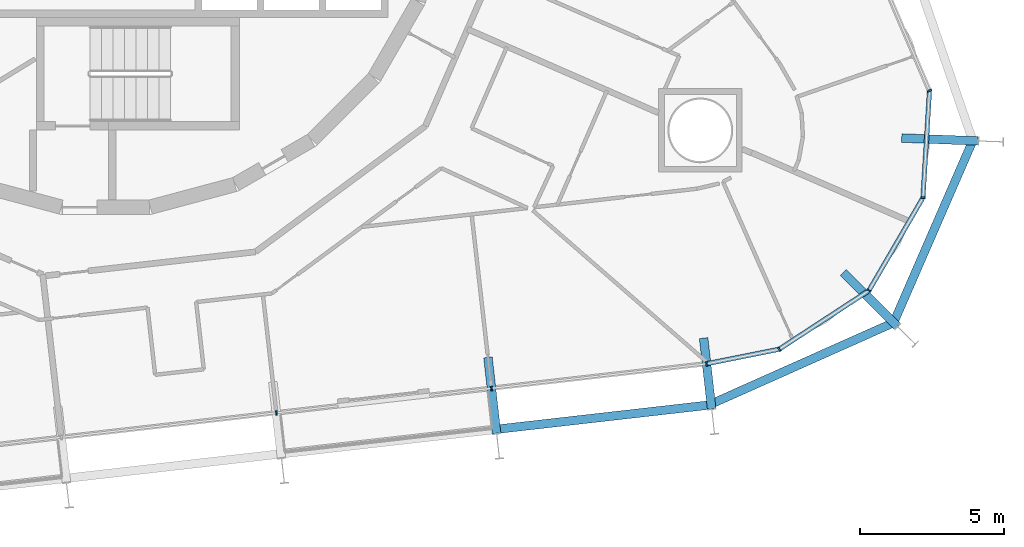
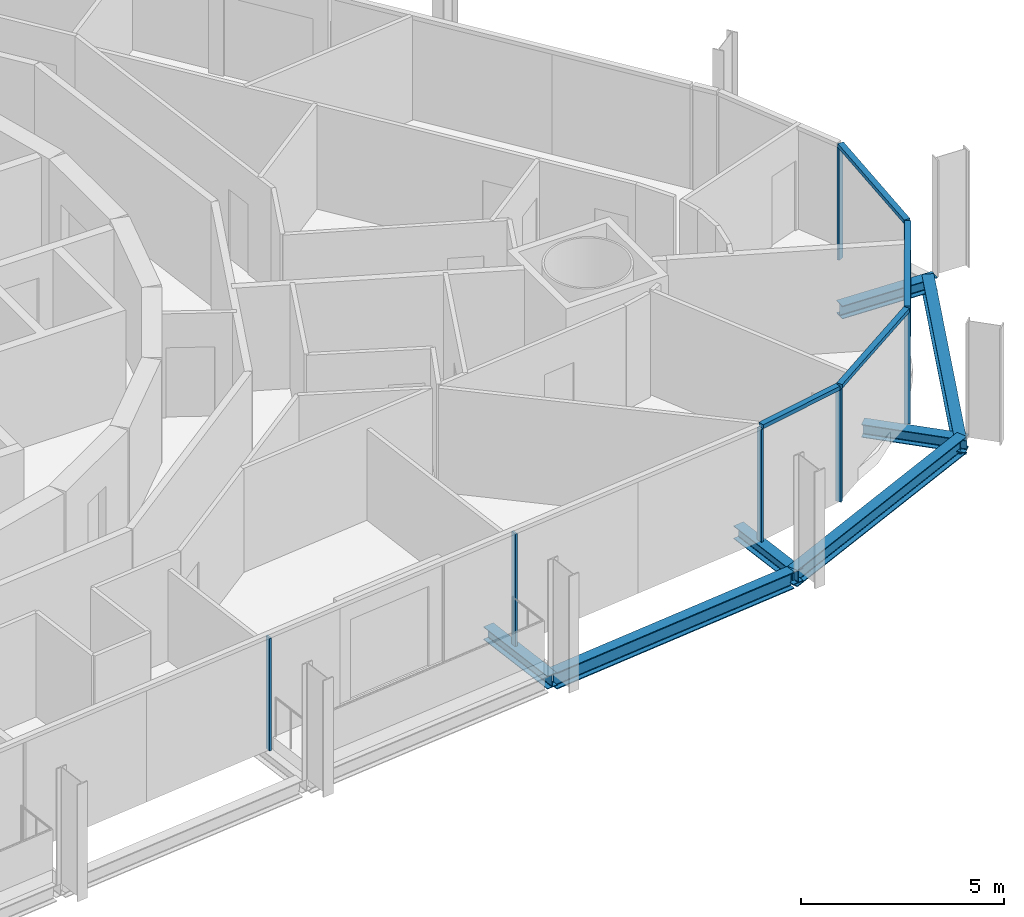
# One storey, part 7 of 21: 11 members, 7 beams, 2 elements without a shape of their own.
"""IFC4 building model written with IfcOpenShell, lengths in metres."""

from ifc_helpers import new_model, si_unit, direction, frame, origin, origin_2d, place, context, subcontext, project, spatial, rectangle, i_section, extrude, material, layer, layer_set, material_profile, profile_set, type_object, element, aggregate, save


model = new_model("IFC4")

# Units and contexts
model_context = context("Model", 3, precision=1e-05, world=origin(), true_north=direction((0.0, 1.0)))
body_context = subcontext(model_context, "Body", "Model", "MODEL_VIEW")
ifc_project = project(units=[si_unit("LENGTHUNIT", "METRE"), si_unit("AREAUNIT", "SQUARE_METRE"), si_unit("VOLUMEUNIT", "CUBIC_METRE"), si_unit("PLANEANGLEUNIT", "RADIAN"), si_unit("MASSUNIT", "GRAM", prefix="KILO")], contexts=[model_context])

# Site, building, storey
site_placement = place(None, origin())
site = spatial("IfcSite", under=ifc_project, at=site_placement, CompositionType="ELEMENT")
building_placement = place(site_placement, origin())
building = spatial("IfcBuilding", under=site, at=building_placement, Name="Spindle Arch Residences", CompositionType="ELEMENT")
storey_placement = place(building_placement, frame((0.0, 0.0, 97.699951171875)))
storey = spatial("IfcBuildingStorey", under=building, at=storey_placement, Name="L23", CompositionType="ELEMENT", Elevation=97.699951171875)

# Curtain wall, members
ifc_material_1 = material(Name="Aluminium bronze unitised frame with tinted glass", Category="aluminium")
ifc_layer_1 = layer(ifc_material_1, 0.159912109375)
ifc_layer_set_1 = layer_set([ifc_layer_1], Name="CW-D corner wall on the fillet arcs")
curtain_wall_type_1 = type_object("IfcCurtainWallType", Name="CW-D corner wall on the fillet arcs", PredefinedType="NOTDEFINED", material=ifc_layer_set_1)
curtain_wall_1_placement = place(storey_placement, origin())
curtain_wall_1 = element("IfcCurtainWall", 1, at=curtain_wall_1_placement, inside=storey, type_object=curtain_wall_type_1, Name="CW-D L23 run 1", PredefinedType="NOTDEFINED")
ifc_material_2 = material(Name="Aluminium bronze anodised mullion", Category="aluminium")
ifc_material_profile_1 = material_profile(ifc_material_2, rectangle(XDim=0.159912109375, YDim=0.06005859375, at=origin_2d()), Name="MU 60x160")
ifc_profile_set_1 = profile_set([ifc_material_profile_1], Name="Aluminium bronze anodised mullion")
member_type_1 = type_object("IfcMemberType", Name="Bronze mullion 60x160", PredefinedType="MULLION", material=ifc_profile_set_1)
member_1_placement = place(storey_placement, frame((20.865234375, -17.085205078125, -0.3798828125), z_axis=(0.0, 0.0, 1.0), x_axis=(-0.196863041416, 0.980430998553, 0.0)))
member_1 = element("IfcMember", 2, at=member_1_placement, type_object=member_type_1, Name="CW-D mullion 00", PredefinedType="MULLION", context=body_context, shape_type="SweptSolid", body=[
    extrude(rectangle(XDim=0.159912109375, YDim=0.06005859375, at=origin_2d()), origin(), (0.0, 0.0, 1.0), 3.3798828125),
])
member_2_placement = place(storey_placement, frame((23.38916015625, -16.57861328125, -0.3798828125), z_axis=(0.0, 0.0, 1.0), x_axis=(-0.547076323657, 0.83708272954, 0.0)))
member_2 = element("IfcMember", 3, at=member_2_placement, type_object=member_type_1, Name="CW-D mullion 01", PredefinedType="MULLION", context=body_context, shape_type="SweptSolid", body=[
    extrude(rectangle(XDim=0.159912109375, YDim=0.06005859375, at=origin_2d()), origin(), (0.0, 0.0, 1.0), 3.3798828125),
])
member_3_placement = place(storey_placement, frame((26.508544921875, -14.539794921875, -0.3798828125), z_axis=(0.0, 0.0, 1.0), x_axis=(-0.864567301682, 0.502517045345, 0.0)))
member_3 = element("IfcMember", 4, at=member_3_placement, type_object=member_type_1, Name="CW-D mullion 02", PredefinedType="MULLION", context=body_context, shape_type="SweptSolid", body=[
    extrude(rectangle(XDim=0.159912109375, YDim=0.06005859375, at=origin_2d()), origin(), (0.0, 0.0, 1.0), 3.3798828125),
])
member_4_placement = place(storey_placement, frame((28.38134765625, -11.317626953125, -0.3798828125), z_axis=(0.0, 0.0, 1.0), x_axis=(-0.998134798631, 0.06104853612, 0.0)))
member_4 = element("IfcMember", 5, at=member_4_placement, type_object=member_type_1, Name="CW-D mullion 03", PredefinedType="MULLION", context=body_context, shape_type="SweptSolid", body=[
    extrude(rectangle(XDim=0.159912109375, YDim=0.06005859375, at=origin_2d()), origin(), (0.0, 0.0, 1.0), 3.3798828125),
])
member_5_placement = place(storey_placement, frame((28.60888671875, -7.597900390625, -0.3798828125), z_axis=(0.0, 0.0, 1.0), x_axis=(-0.919364369298, -0.393407112882, 0.0)))
member_5 = element("IfcMember", 6, at=member_5_placement, type_object=member_type_1, Name="CW-D mullion 04", PredefinedType="MULLION", context=body_context, shape_type="SweptSolid", body=[
    extrude(rectangle(XDim=0.159912109375, YDim=0.06005859375, at=origin_2d()), origin(), (0.0, 0.0, 1.0), 3.3798828125),
])

ifc_material_3 = material(Name="Aluminium bronze unitised frame with tinted glass", Category="aluminium")
ifc_layer_2 = layer(ifc_material_3, 0.159912109375)
ifc_layer_set_2 = layer_set([ifc_layer_2], Name="CW-C typical residential unitised wall")
curtain_wall_type_2 = type_object("IfcCurtainWallType", Name="CW-C typical residential unitised wall", PredefinedType="NOTDEFINED", material=ifc_layer_set_2)
curtain_wall_2_placement = place(storey_placement, origin())
curtain_wall_2 = element("IfcCurtainWall", 7, at=curtain_wall_2_placement, inside=storey, type_object=curtain_wall_type_2, Name="CW-C L23 run 6", PredefinedType="NOTDEFINED")
member_6_placement = place(storey_placement, frame((5.92431640625, -18.78759765625, -0.3798828125), z_axis=(0.0, 0.0, 1.0), x_axis=(-0.113203213768, 0.993571855677, 0.0)))
member_6 = element("IfcMember", 8, at=member_6_placement, type_object=member_type_1, Name="CW-C mullion 00", PredefinedType="MULLION", context=body_context, shape_type="SweptSolid", body=[
    extrude(rectangle(XDim=0.159912109375, YDim=0.06005859375, at=origin_2d()), origin(), (0.0, 0.0, 1.0), 3.3798828125),
])
member_7_placement = place(storey_placement, frame((13.394775390625, -17.9365234375, -0.3798828125), z_axis=(0.0, 0.0, 1.0), x_axis=(-0.113203213768, 0.993571855677, 0.0)))
member_7 = element("IfcMember", 9, at=member_7_placement, type_object=member_type_1, Name="CW-C mullion 01", PredefinedType="MULLION", context=body_context, shape_type="SweptSolid", body=[
    extrude(rectangle(XDim=0.159912109375, YDim=0.06005859375, at=origin_2d()), origin(), (0.0, 0.0, 1.0), 3.3798828125),
])
aggregate(curtain_wall_2, [member_6, member_7])

# Member
ifc_material_4 = material(Name="Aluminium bronze anodised transom", Category="aluminium")
ifc_material_profile_2 = material_profile(ifc_material_4, rectangle(XDim=0.159912109375, YDim=0.1201171875, at=origin_2d()), Name="TR 120x160")
ifc_profile_set_2 = profile_set([ifc_material_profile_2], Name="Aluminium bronze anodised transom")
member_type_2 = type_object("IfcMemberType", Name="Bronze transom 120x160", PredefinedType="USERDEFINED", material=ifc_profile_set_2)
member_8_placement = place(storey_placement, frame((20.894775390625, -17.079345703125, 3.06005859375), z_axis=(0.980434738394, 0.196844415088, 0.0), x_axis=(-0.196844415088, 0.980434738394, 0.0)))
member_8 = element("IfcMember", 10, at=member_8_placement, type_object=member_type_2, Name="CW-D transom 00", ObjectType="TRANSOM", PredefinedType="USERDEFINED", context=body_context, shape_type="SweptSolid", body=[
    extrude(rectangle(XDim=0.159912109375, YDim=0.1201171875, at=origin_2d()), origin(), (0.0, 0.0, 1.0), 2.513916015625),
])

member_9_placement = place(storey_placement, frame((23.4140625, -16.562255859375, 3.06005859375), z_axis=(0.837085709997, 0.547071763226, 0.0), x_axis=(-0.547071763226, 0.837085709997, 0.0)))
member_9 = element("IfcMember", 11, at=member_9_placement, type_object=member_type_2, Name="CW-D transom 01", ObjectType="TRANSOM", PredefinedType="USERDEFINED", context=body_context, shape_type="SweptSolid", body=[
    extrude(rectangle(XDim=0.159912109375, YDim=0.1201171875, at=origin_2d()), origin(), (0.0, 0.0, 1.0), 3.6669921875),
])

member_10_placement = place(storey_placement, frame((26.523681640625, -14.513916015625, 3.06005859375), z_axis=(0.502549865263, 0.864548224753, 0.0), x_axis=(-0.864548224753, 0.502549865263, 0.0)))
member_10 = element("IfcMember", 12, at=member_10_placement, type_object=member_type_2, Name="CW-D transom 02", ObjectType="TRANSOM", PredefinedType="USERDEFINED", context=body_context, shape_type="SweptSolid", body=[
    extrude(rectangle(XDim=0.159912109375, YDim=0.1201171875, at=origin_2d()), origin(), (0.0, 0.0, 1.0), 3.666748046875),
])

member_11_placement = place(storey_placement, frame((28.38330078125, -11.287841796875, 3.06005859375), z_axis=(0.061055913319, 0.998134347395, 0.0), x_axis=(-0.998134347395, 0.061055913319, 0.0)))
member_11 = element("IfcMember", 13, at=member_11_placement, type_object=member_type_2, Name="CW-D transom 03", ObjectType="TRANSOM", PredefinedType="USERDEFINED", context=body_context, shape_type="SweptSolid", body=[
    extrude(rectangle(XDim=0.159912109375, YDim=0.1201171875, at=origin_2d()), origin(), (0.0, 0.0, 1.0), 3.666748046875),
])

aggregate(curtain_wall_1, [member_1, member_8, member_2, member_9, member_3, member_10, member_4, member_11, member_5])

# Beams
ifc_material_5 = material(Name="Steel S460ML, intumescent coating R 120", Category="steel")
ifc_material_profile_3 = material_profile(ifc_material_5, i_section(OverallWidth=0.300048828125, OverallDepth=0.5, WebThickness=0.014404296875, FlangeThickness=0.028076171875, FilletRadius=0.027099609375, at=origin_2d()), Name="HEB 500")
ifc_profile_set_3 = profile_set([ifc_material_profile_3], Name="Steel S460ML, intumescent coating R 120")
beam_type_1 = type_object("IfcBeamType", Name="Exoskeleton edge beam HEB 500", PredefinedType="BEAM", material=ifc_profile_set_3)
beam_1_placement = place(storey_placement, frame((13.686279296875, -19.345703125, -0.6298828125), z_axis=(0.993567208644, 0.113243992807, 0.0), x_axis=(-0.113243992807, 0.993567208644, 0.0)))
element("IfcBeam", 14, at=beam_1_placement, inside=storey, type_object=beam_type_1, Name="Exoskeleton edge beam 2", PredefinedType="BEAM", context=body_context, shape_type="SweptSolid", body=[
    extrude(i_section(OverallWidth=0.300048828125, OverallDepth=0.5, WebThickness=0.014404296875, FlangeThickness=0.028076171875, FilletRadius=0.027099609375, at=origin_2d()), origin(), (0.0, 0.0, 1.0), 7.2587890625),
])
beam_2_placement = place(storey_placement, frame((20.956787109375, -18.510986328125, -0.6298828125), z_axis=(0.913358271861, 0.407156809133, 0.0), x_axis=(-0.407156809133, 0.913358271861, 0.0)))
element("IfcBeam", 15, at=beam_2_placement, inside=storey, type_object=beam_type_1, Name="Exoskeleton edge beam 3", PredefinedType="BEAM", context=body_context, shape_type="SweptSolid", body=[
    extrude(i_section(OverallWidth=0.300048828125, OverallDepth=0.5, WebThickness=0.014404296875, FlangeThickness=0.028076171875, FilletRadius=0.027099609375, at=origin_2d()), origin(), (0.0, 0.0, 1.0), 7.09423828125),
])
beam_3_placement = place(storey_placement, frame((27.324462890625, -15.74462890625, -0.6298828125), z_axis=(0.398753826639, 0.917058005658, 0.0), x_axis=(-0.917058005658, 0.398753826639, 0.0)))
element("IfcBeam", 16, at=beam_3_placement, inside=storey, type_object=beam_type_1, Name="Exoskeleton edge beam 4", PredefinedType="BEAM", context=body_context, shape_type="SweptSolid", body=[
    extrude(i_section(OverallWidth=0.300048828125, OverallDepth=0.5, WebThickness=0.014404296875, FlangeThickness=0.028076171875, FilletRadius=0.027099609375, at=origin_2d()), origin(), (0.0, 0.0, 1.0), 7.086181640625),
])
ifc_material_6 = material(Name="Steel S460ML, intumescent coating R 120", Category="steel")
ifc_material_profile_4 = material_profile(ifc_material_6, i_section(OverallWidth=0.300048828125, OverallDepth=0.389892578125, WebThickness=0.010986328125, FlangeThickness=0.01904296875, FilletRadius=0.027099609375, at=origin_2d()), Name="HEA 400")
ifc_profile_set_4 = profile_set([ifc_material_profile_4], Name="Steel S460ML, intumescent coating R 120")
beam_type_2 = type_object("IfcBeamType", Name="Floor outrigger HEA 400", PredefinedType="BEAM", material=ifc_profile_set_4)
beam_4_placement = place(storey_placement, frame((13.572509765625, -19.496337890625, -0.574951171875), z_axis=(-0.113130863078, 0.993580096328, 0.0), x_axis=(-0.993580096328, -0.113130863078, 0.0)))
element("IfcBeam", 17, at=beam_4_placement, inside=storey, type_object=beam_type_2, Name="Floor outrigger 2", PredefinedType="BEAM", context=body_context, shape_type="SweptSolid", body=[
    extrude(i_section(OverallWidth=0.300048828125, OverallDepth=0.389892578125, WebThickness=0.010986328125, FlangeThickness=0.01904296875, FilletRadius=0.027099609375, at=origin_2d()), origin(), (0.0, 0.0, 1.0), 2.650146484375),
])
beam_5_placement = place(storey_placement, frame((21.043212890625, -18.645263671875, -0.574951171875), z_axis=(-0.113326452293, 0.993557806678, 0.0), x_axis=(-0.993557806678, -0.113326452293, 0.0)))
element("IfcBeam", 18, at=beam_5_placement, inside=storey, type_object=beam_type_2, Name="Floor outrigger 3", PredefinedType="BEAM", context=body_context, shape_type="SweptSolid", body=[
    extrude(i_section(OverallWidth=0.300048828125, OverallDepth=0.389892578125, WebThickness=0.010986328125, FlangeThickness=0.01904296875, FilletRadius=0.027099609375, at=origin_2d()), origin(), (0.0, 0.0, 1.0), 2.470947265625),
])
beam_6_placement = place(storey_placement, frame((27.49169921875, -15.78076171875, -0.574951171875), z_axis=(-0.709222613683, 0.704984598584, 0.0), x_axis=(-0.704984598584, -0.709222613683, 0.0)))
element("IfcBeam", 19, at=beam_6_placement, inside=storey, type_object=beam_type_2, Name="Floor outrigger 4", PredefinedType="BEAM", context=body_context, shape_type="SweptSolid", body=[
    extrude(i_section(OverallWidth=0.300048828125, OverallDepth=0.389892578125, WebThickness=0.010986328125, FlangeThickness=0.01904296875, FilletRadius=0.027099609375, at=origin_2d()), origin(), (0.0, 0.0, 1.0), 2.64990234375),
])
beam_7_placement = place(storey_placement, frame((30.290771484375, -9.34375, -0.574951171875), z_axis=(-0.999282920946, 0.037863490413, 0.0), x_axis=(-0.037863490413, -0.999282920946, 0.0)))
element("IfcBeam", 20, at=beam_7_placement, inside=storey, type_object=beam_type_2, Name="Floor outrigger 5", PredefinedType="BEAM", context=body_context, shape_type="SweptSolid", body=[
    extrude(i_section(OverallWidth=0.300048828125, OverallDepth=0.389892578125, WebThickness=0.010986328125, FlangeThickness=0.01904296875, FilletRadius=0.027099609375, at=origin_2d()), origin(), (0.0, 0.0, 1.0), 2.650146484375),
])

save(model, "model.ifc")
